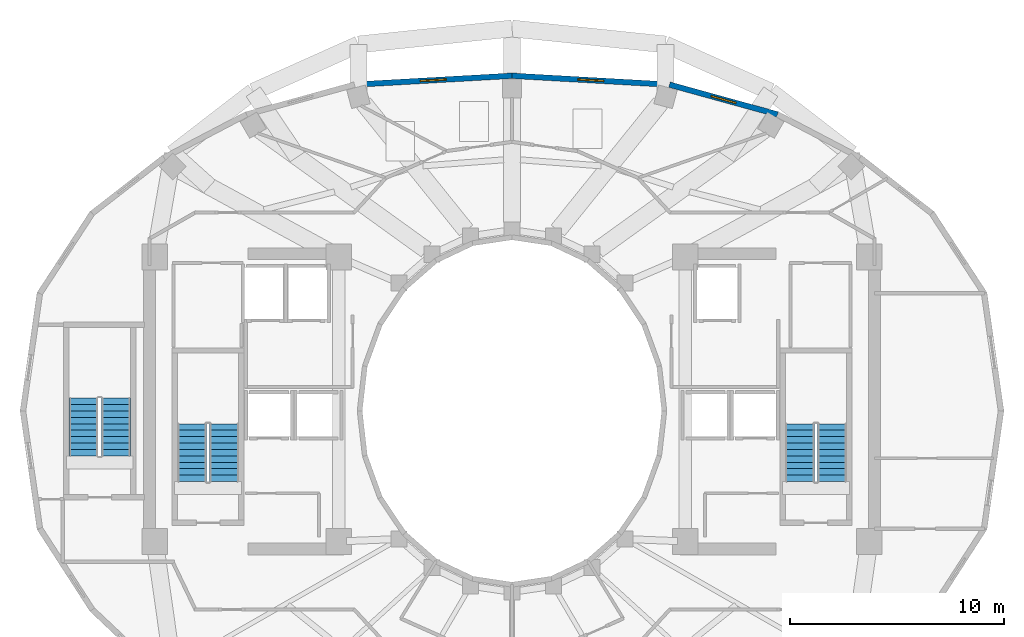
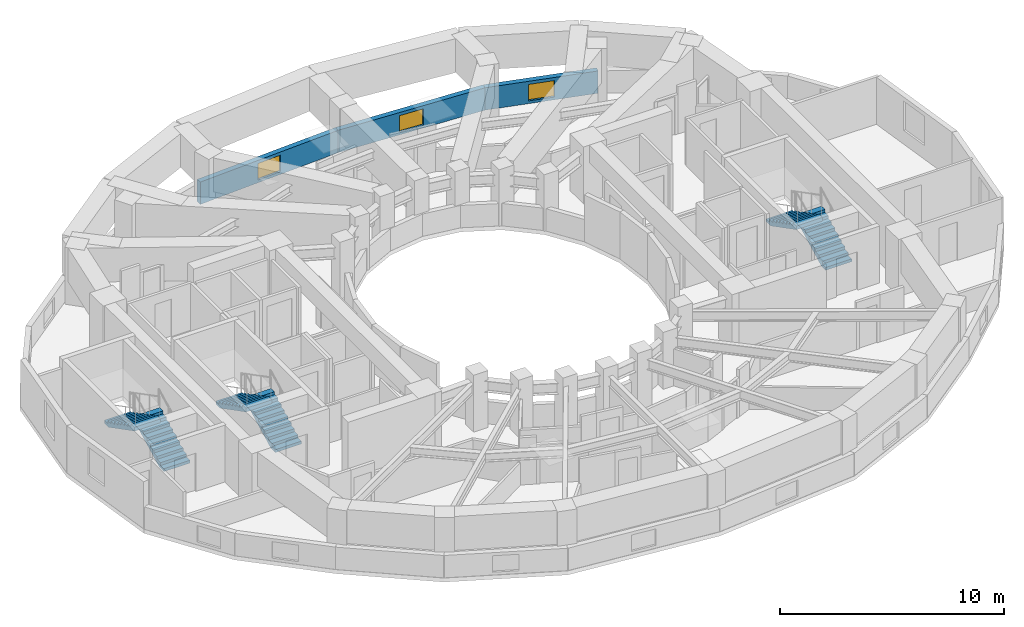
# One storey, part 7 of 9: 6 stair flights, 3 walls, 3 windows, 3 openings, 3 elements without a shape of their own.
"""IFC4 building model written with IfcOpenShell, lengths in metres."""

import ifcopenshell
import ifcopenshell.guid

model = None  # the IFC model being written
_history = None  # IfcOwnerHistory: only IFC2X3 demands one
_inside = {}  # id of a spatial element -> (the spatial element, [elements in it])
_under = {}  # id of a project, library or spatial element -> (it, [spatial elements below it])
_declared = {}  # id of a project -> (the project, [libraries it declares])
_typed = {}  # id of a type object -> (the type object, [elements of that type])
_made_of = {}  # id of a material, layer set ... -> (it, [elements and type objects made of it])


def new_model(schema):
    """Start an empty IFC model of exactly this schema.

    Asked for "IFC4X3", IfcOpenShell would pick the latest addendum, in which some entities
    have other attributes; the version numbers below select the first issue.
    IFC2X3 requires an IfcOwnerHistory on every rooted entity: one is made here for all.
    """
    global model, _history
    if schema == "IFC4X3":
        model = ifcopenshell.file(schema_version=(4, 3, 0, 0))
    else:
        model = ifcopenshell.file(schema=schema)
    _inside.clear()
    _under.clear()
    _declared.clear()
    _typed.clear()
    _made_of.clear()
    _history = None
    if model.schema == "IFC2X3":
        org = make("IfcOrganization", Name="unknown")
        user = make(
            "IfcPersonAndOrganization",
            ThePerson=make("IfcPerson", FamilyName="unknown"),
            TheOrganization=org,
        )
        app = make(
            "IfcApplication",
            ApplicationDeveloper=org,
            Version="unknown",
            ApplicationFullName="unknown",
            ApplicationIdentifier="unknown",
        )
        _history = make(
            "IfcOwnerHistory",
            OwningUser=user,
            OwningApplication=app,
            ChangeAction="ADDED",
            CreationDate=0,
        )
    return model


def make(cls, **values):
    """One entity of the class cls with the attributes given. An attribute that is None is left unset."""
    return model.create_entity(
        cls, **{name: value for name, value in values.items() if value is not None}
    )


def rooted(cls, **values):
    """An entity with a GlobalId (a new one), such as an element, a storey or a relation."""
    return make(cls, GlobalId=ifcopenshell.guid.new(), OwnerHistory=_history, **values)


def si_unit(unit_type, name, prefix=None):
    """IfcSIUnit, for example si_unit("LENGTHUNIT", "METRE", prefix="MILLI")."""
    return make("IfcSIUnit", UnitType=unit_type, Prefix=prefix, Name=name)


def assignment(units):
    """IfcUnitAssignment: the units of a project."""
    return None if units is None else make("IfcUnitAssignment", Units=units)


def point(xyz):
    """IfcCartesianPoint."""
    return None if xyz is None else make("IfcCartesianPoint", Coordinates=xyz)


def direction(xyz):
    """IfcDirection."""
    return None if xyz is None else make("IfcDirection", DirectionRatios=xyz)


def frame(location, z_axis=None, x_axis=None):
    """IfcAxis2Placement3D, a coordinate frame: its origin and axes. An axis left out is left unset."""
    return make(
        "IfcAxis2Placement3D",
        Location=point(location),
        Axis=direction(z_axis),
        RefDirection=direction(x_axis),
    )


def frame_2d(location, x_axis=None):
    """IfcAxis2Placement2D, a coordinate frame in the plane: its origin and x axis."""
    return make(
        "IfcAxis2Placement2D", Location=point(location), RefDirection=direction(x_axis)
    )


def origin():
    """The frame at (0, 0, 0) with its axes left unset."""
    return frame((0.0, 0.0, 0.0))


def place(relative_to, where):
    """IfcLocalPlacement: puts the frame where relative to a parent placement (None: the world)."""
    return make(
        "IfcLocalPlacement", PlacementRelTo=relative_to, RelativePlacement=where
    )


def context(
    kind, dimensions, precision=None, world=None, true_north=None, identifier=None
):
    """IfcGeometricRepresentationContext, for example the 3D "Model" context."""
    return make(
        "IfcGeometricRepresentationContext",
        ContextIdentifier=identifier,
        ContextType=kind,
        CoordinateSpaceDimension=dimensions,
        Precision=precision,
        WorldCoordinateSystem=world,
        TrueNorth=true_north,
    )


def subcontext(parent, identifier, kind, view, scale=None):
    """IfcGeometricRepresentationSubContext, for example "Body" below "Model"."""
    return make(
        "IfcGeometricRepresentationSubContext",
        ContextIdentifier=identifier,
        ContextType=kind,
        ParentContext=parent,
        TargetScale=scale,
        TargetView=view,
    )


def project(units=None, contexts=None):
    """IfcProject with its units and contexts."""
    return rooted(
        "IfcProject",
        Name="project",
        RepresentationContexts=contexts,
        UnitsInContext=assignment(units),
    )


def spatial(cls, under=None, at=None, **own):
    """A site, building, storey or space (cls), placed at a placement, below another one or the project."""
    s = rooted(cls, ObjectPlacement=at, **own)
    if under is not None:
        _under.setdefault(under.id(), (under, []))[1].append(s)
    return s


def polyline(points):
    """IfcPolyline through the points."""
    return make("IfcPolyline", Points=[point(p) for p in points])


def profile(cls, at=None, kind="AREA", **sizes):
    """A parametric profile (cls). Its sizes go by their IFC names, for example OverallWidth=200.0."""
    return make(cls, ProfileType=kind, Position=at, **sizes)


def rectangle(**sizes):
    """IfcRectangleProfileDef."""
    return profile("IfcRectangleProfileDef", **sizes)


def outline(outer, holes=None, kind="AREA"):
    """IfcArbitraryClosedProfileDef: a profile drawn as a closed curve; with holes, ...WithVoids."""
    if holes is None:
        return make("IfcArbitraryClosedProfileDef", ProfileType=kind, OuterCurve=outer)
    return make(
        "IfcArbitraryProfileDefWithVoids",
        ProfileType=kind,
        OuterCurve=outer,
        InnerCurves=holes,
    )


def extrude(swept, where, along, depth):
    """IfcExtrudedAreaSolid: the profile swept, set in the frame where, extruded along a direction by depth."""
    return make(
        "IfcExtrudedAreaSolid",
        SweptArea=swept,
        Position=where,
        ExtrudedDirection=direction(along),
        Depth=depth,
    )


def shape(context_of_items, identifier, shape_type, items):
    """IfcShapeRepresentation: the items that make up one representation, for example the "Body"."""
    return make(
        "IfcShapeRepresentation",
        ContextOfItems=context_of_items,
        RepresentationIdentifier=identifier,
        RepresentationType=shape_type,
        Items=items,
    )


def material(Name=None, Category=None):
    """IfcMaterial."""
    return make("IfcMaterial", Name=Name, Category=Category)


def layer(
    of_material, thickness, ventilated=None, Name=None, Category=None, Priority=None
):
    """IfcMaterialLayer: one layer of a wall or slab, of a material (None: an air gap)."""
    return make(
        "IfcMaterialLayer",
        Material=of_material,
        LayerThickness=thickness,
        IsVentilated=ventilated,
        Name=Name,
        Category=Category,
        Priority=Priority,
    )


def layer_set(layers, Name=None):
    """IfcMaterialLayerSet."""
    return make("IfcMaterialLayerSet", MaterialLayers=layers, LayerSetName=Name)


def made_of(thing, what):
    """Note that an element or type object is made of a material, layer set ...; save() writes the relation."""
    if what is not None:
        _made_of.setdefault(what.id(), (what, []))[1].append(thing)
    return thing


def type_object(cls, material=None, **own):
    """A type object (cls), such as IfcWallType, which elements share."""
    return made_of(rooted(cls, **own), material)


def element(
    cls,
    number,
    at=None,
    inside=None,
    cuts=None,
    type_object=None,
    material=None,
    context=None,
    identifier="Body",
    shape_type=None,
    held_by="IfcProductDefinitionShape",
    body=None,
    shapes=None,
    **own,
):
    """One element of the class cls, such as IfcWall. Its Tag is "e" and its number.

    at: its placement. inside: the storey or other place that contains it. cuts: it is an
    opening in that element (IfcRelVoidsElement). A single representation is given by context,
    identifier, shape_type and body (its items); several are given by shapes. held_by: the class
    of the entity that holds the representations. save() writes the other relations.
    """
    e = rooted(cls, Tag="e%d" % number, ObjectPlacement=at, **own)
    if body is not None:
        shapes = [shape(context, identifier, shape_type, body)]
    if shapes is not None:
        e.Representation = make(held_by, Representations=shapes)
    if inside is not None:
        _inside.setdefault(inside.id(), (inside, []))[1].append(e)
    if cuts is not None:
        rooted(
            "IfcRelVoidsElement", RelatingBuildingElement=cuts, RelatedOpeningElement=e
        )
    if type_object is not None:
        _typed.setdefault(type_object.id(), (type_object, []))[1].append(e)
    return made_of(e, material)


def fill(opening, filler):
    """IfcRelFillsElement: the door or window that sits in an opening."""
    return rooted(
        "IfcRelFillsElement",
        RelatingOpeningElement=opening,
        RelatedBuildingElement=filler,
    )


def aggregate(whole, parts):
    """IfcRelAggregates: a whole, such as a stair, and the parts it consists of."""
    return rooted("IfcRelAggregates", RelatingObject=whole, RelatedObjects=parts)


def save(model, path):
    """Write the relations noted so far, then the file.

    IfcRelAggregates (storeys below a building ...), IfcRelContainedInSpatialStructure (elements
    in a storey), IfcRelDefinesByType, IfcRelAssociatesMaterial and IfcRelDeclares: one each for
    every whole, place, type object, material and project.
    """
    for whole, parts in _under.values():
        aggregate(whole, parts)
    for where, things in _inside.values():
        rooted(
            "IfcRelContainedInSpatialStructure",
            RelatedElements=things,
            RelatingStructure=where,
        )
    for kind, things in _typed.values():
        rooted("IfcRelDefinesByType", RelatedObjects=things, RelatingType=kind)
    for what, things in _made_of.values():
        rooted("IfcRelAssociatesMaterial", RelatedObjects=things, RelatingMaterial=what)
    for by, libraries in _declared.values():
        rooted("IfcRelDeclares", RelatingContext=by, RelatedDefinitions=libraries)
    model.write(path)


model = new_model("IFC4")

# Units and contexts
model_context = context("Model", 3, precision=1e-05, world=origin(), true_north=direction((0.0, 1.0)))
body_context = subcontext(model_context, "Body", "Model", "MODEL_VIEW")
ifc_project = project(units=[si_unit("LENGTHUNIT", "METRE"), si_unit("AREAUNIT", "SQUARE_METRE"), si_unit("VOLUMEUNIT", "CUBIC_METRE"), si_unit("PLANEANGLEUNIT", "RADIAN"), si_unit("MASSUNIT", "GRAM", prefix="KILO")], contexts=[model_context])

# Site, building, storey
site_placement = place(None, origin())
site = spatial("IfcSite", under=ifc_project, at=site_placement, CompositionType="ELEMENT")
building_placement = place(site_placement, origin())
building = spatial("IfcBuilding", under=site, at=building_placement, Name="Solvane Sanctuary Tower", CompositionType="ELEMENT")
storey_placement = place(building_placement, frame((0.0, 0.0, 177.699951171875)))
storey = spatial("IfcBuildingStorey", under=building, at=storey_placement, Name="L54", CompositionType="ELEMENT", Elevation=177.699951171875)

# Wall, opening, window
ifc_material_1 = material(Name="Precast concrete C40/50", Category="concrete")
ifc_layer = layer(ifc_material_1, 0.260009765625, Name="Precast concrete C40/50")
ifc_layer_set = layer_set([ifc_layer], Name="Precast concrete C40/50")
wall_type = type_object("IfcWallType", Name="Wall W-EXT-250", PredefinedType="STANDARD", material=ifc_layer_set)
wall_1_placement = place(storey_placement, frame((44.4130859375, 36.86328125, 0.0), z_axis=(0.0, 0.0, 1.0), x_axis=(-0.963953455704, 0.26607092144, 0.0)))
wall_1 = element("IfcWall", 1, at=wall_1_placement, inside=storey, type_object=wall_type, Name="L54 Ceramic-Printed Facade Wall 04", PredefinedType="STANDARD", context=body_context, shape_type="SweptSolid", body=[
    extrude(rectangle(XDim=5.236572265625, YDim=0.260009765625, at=frame_2d((2.6181640625, 0.0))), origin(), (0.0, 0.0, 1.0), 1.219970703125),
])
opening_1_placement = place(wall_1_placement, frame((2.018310546875, 0.0, 0.14990234375)))
opening_1 = element("IfcOpeningElement", 2, at=opening_1_placement, cuts=wall_1, Name="Opening WN-OPER-1200", PredefinedType="OPENING", context=body_context, shape_type="SweptSolid", body=[
    extrude(rectangle(XDim=1.199951171875, YDim=0.89990234375, at=frame_2d((0.60009765625, 0.449951171875))), frame((0.0, 0.139892578125, 0.0), z_axis=(0.0, -1.0, 0.0), x_axis=(1.0, 0.0, 0.0)), (0.0, 0.0, 1.0), 0.280029296875),
])
ifc_material_2 = material(Name="Dark Ceramic-Fritted Low-E Glass", Category="glass")
window_type = type_object("IfcWindowType", Name="Window WN-OPER-1200", PartitioningType="SINGLE_PANEL", PredefinedType="WINDOW", material=ifc_material_2)
window_1_placement = place(opening_1_placement, origin())
window_1 = element("IfcWindow", 3, at=window_1_placement, inside=storey, type_object=window_type, Name="L54 Operable Facade Window 04", OverallHeight=0.89990234375, OverallWidth=1.199951171875, PartitioningType="SINGLE_PANEL", PredefinedType="WINDOW", context=body_context, shape_type="SweptSolid", body=[
    extrude(rectangle(XDim=1.199951171875, YDim=0.89990234375, at=frame_2d((0.60009765625, 0.449951171875))), frame((0.0, 0.030029296875, 0.0), z_axis=(0.0, -1.0, 0.0), x_axis=(1.0, 0.0, 0.0)), (0.0, 0.0, 1.0), 0.06005859375),
])
fill(opening_1, window_1)

wall_2_placement = place(storey_placement, frame((39.365234375, 38.256591796875, 0.0), z_axis=(0.0, 0.0, 1.0), x_axis=(-0.998417906562, 0.056228852534, 0.0)))
wall_2 = element("IfcWall", 4, at=wall_2_placement, inside=storey, type_object=wall_type, Name="L54 Ceramic-Printed Facade Wall 05", PredefinedType="STANDARD", context=body_context, shape_type="SweptSolid", body=[
    extrude(rectangle(XDim=7.376953125, YDim=0.260009765625, at=frame_2d((3.6884765625, 0.0))), origin(), (0.0, 0.0, 1.0), 1.219970703125),
])
opening_2_placement = place(wall_2_placement, frame((3.08837890625, 0.0, 0.14990234375)))
opening_2 = element("IfcOpeningElement", 5, at=opening_2_placement, cuts=wall_2, Name="Opening WN-OPER-1200", PredefinedType="OPENING", context=body_context, shape_type="SweptSolid", body=[
    extrude(rectangle(XDim=1.199951171875, YDim=0.89990234375, at=frame_2d((0.60009765625, 0.449951171875))), frame((0.0, 0.139892578125, 0.0), z_axis=(0.0, -1.0, 0.0), x_axis=(1.0, 0.0, 0.0)), (0.0, 0.0, 1.0), 0.280029296875),
])
window_2_placement = place(opening_2_placement, origin())
window_2 = element("IfcWindow", 6, at=window_2_placement, inside=storey, type_object=window_type, Name="L54 Operable Facade Window 05", OverallHeight=0.89990234375, OverallWidth=1.199951171875, PartitioningType="SINGLE_PANEL", PredefinedType="WINDOW", context=body_context, shape_type="SweptSolid", body=[
    extrude(rectangle(XDim=1.199951171875, YDim=0.89990234375, at=frame_2d((0.60009765625, 0.449951171875))), frame((0.0, 0.030029296875, 0.0), z_axis=(0.0, -1.0, 0.0), x_axis=(1.0, 0.0, 0.0)), (0.0, 0.0, 1.0), 0.06005859375),
])
fill(opening_2, window_2)

wall_3_placement = place(storey_placement, frame((32.0, 38.67138671875, 0.0), z_axis=(0.0, 0.0, 1.0), x_axis=(-0.998417906562, -0.056228852534, 0.0)))
wall_3 = element("IfcWall", 7, at=wall_3_placement, inside=storey, type_object=wall_type, Name="L54 Ceramic-Printed Facade Wall 06", PredefinedType="STANDARD", context=body_context, shape_type="SweptSolid", body=[
    extrude(rectangle(XDim=7.376953125, YDim=0.260009765625, at=frame_2d((3.6884765625, 0.0))), origin(), (0.0, 0.0, 1.0), 1.219970703125),
])
opening_3_placement = place(wall_3_placement, frame((3.08837890625, 0.0, 0.14990234375)))
opening_3 = element("IfcOpeningElement", 8, at=opening_3_placement, cuts=wall_3, Name="Opening WN-OPER-1200", PredefinedType="OPENING", context=body_context, shape_type="SweptSolid", body=[
    extrude(rectangle(XDim=1.199951171875, YDim=0.89990234375, at=frame_2d((0.60009765625, 0.449951171875))), frame((0.0, 0.139892578125, 0.0), z_axis=(0.0, -1.0, 0.0), x_axis=(1.0, 0.0, 0.0)), (0.0, 0.0, 1.0), 0.280029296875),
])
window_3_placement = place(opening_3_placement, origin())
window_3 = element("IfcWindow", 9, at=window_3_placement, inside=storey, type_object=window_type, Name="L54 Operable Facade Window 06", OverallHeight=0.89990234375, OverallWidth=1.199951171875, PartitioningType="SINGLE_PANEL", PredefinedType="WINDOW", context=body_context, shape_type="SweptSolid", body=[
    extrude(rectangle(XDim=1.199951171875, YDim=0.89990234375, at=frame_2d((0.60009765625, 0.449951171875))), frame((0.0, 0.030029296875, 0.0), z_axis=(0.0, -1.0, 0.0), x_axis=(1.0, 0.0, 0.0)), (0.0, 0.0, 1.0), 0.06005859375),
])
fill(opening_3, window_3)

# Stair, stair flights
ifc_material_3 = material(Name="Concrete C45/55", Category="concrete")
stair_type = type_object("IfcStairType", Name="Stair ST-TOW", PredefinedType="HALF_TURN_STAIR", material=ifc_material_3)
stair_1_placement = place(storey_placement, origin())
stair_1 = element("IfcStair", 10, at=stair_1_placement, inside=storey, type_object=stair_type, Name="L54 Exit Stair ST-1 West Core", PredefinedType="HALF_TURN_STAIR")
stair_flight_type = type_object("IfcStairFlightType", Name="StairFlight SF-TOW", PredefinedType="STRAIGHT", material=ifc_material_3)
stair_flight_1_placement = place(storey_placement, frame((18.544921875, 19.699951171875, 0.0), z_axis=(0.0, 0.0, 1.0), x_axis=(0.0, 1.0, 0.0)))
stair_flight_1 = element("IfcStairFlight", 11, at=stair_flight_1_placement, type_object=stair_flight_type, Name="ST-1 flight 1", NumberOfRisers=10, NumberOfTreads=9, PredefinedType="STRAIGHT", RiserHeight=0.155, TreadLength=0.3, context=body_context, shape_type="SweptSolid", body=[
    extrude(outline(polyline([(0.0, 0.0), (0.0, 0.155029296875), (0.300048828125, 0.155029296875), (0.300048828125, 0.31005859375), (0.60009765625, 0.31005859375), (0.60009765625, 0.465087890625), (0.89990234375, 0.465087890625), (0.89990234375, 0.6201171875), (1.199951171875, 0.6201171875), (1.199951171875, 0.77490234375), (1.5, 0.77490234375), (1.5, 0.929931640625), (1.800048828125, 0.929931640625), (1.800048828125, 1.0849609375), (2.10009765625, 1.0849609375), (2.10009765625, 1.239990234375), (2.39990234375, 1.239990234375), (2.39990234375, 1.39501953125), (2.699951171875, 1.39501953125), (2.699951171875, 1.550048828125), (2.699951171875, 1.1923828125), (0.39208984375, 0.0), (0.0, 0.0)])), frame((0.0, 0.675048828125, 0.0), z_axis=(0.0, -1.0, 0.0), x_axis=(1.0, 0.0, 0.0)), (0.0, 0.0, 1.0), 1.35009765625),
])
stair_flight_2_placement = place(storey_placement, frame((17.034912109375, 22.39990234375, 1.550048828125), z_axis=(0.0, 0.0, 1.0), x_axis=(0.0, -1.0, 0.0)))
stair_flight_2 = element("IfcStairFlight", 12, at=stair_flight_2_placement, type_object=stair_flight_type, Name="ST-1 flight 2", NumberOfRisers=10, NumberOfTreads=9, PredefinedType="STRAIGHT", RiserHeight=0.155, TreadLength=0.3, context=body_context, shape_type="SweptSolid", body=[
    extrude(outline(polyline([(0.0, 0.0), (0.0, 0.155029296875), (0.300048828125, 0.155029296875), (0.300048828125, 0.31005859375), (0.60009765625, 0.31005859375), (0.60009765625, 0.465087890625), (0.89990234375, 0.465087890625), (0.89990234375, 0.6201171875), (1.199951171875, 0.6201171875), (1.199951171875, 0.77490234375), (1.5, 0.77490234375), (1.5, 0.929931640625), (1.800048828125, 0.929931640625), (1.800048828125, 1.0849609375), (2.10009765625, 1.0849609375), (2.10009765625, 1.239990234375), (2.39990234375, 1.239990234375), (2.39990234375, 1.39501953125), (2.699951171875, 1.39501953125), (2.699951171875, 1.550048828125), (2.699951171875, 1.1923828125), (0.39208984375, 0.0), (0.0, 0.0)])), frame((0.0, 0.675048828125, 0.0), z_axis=(0.0, -1.0, 0.0), x_axis=(1.0, 0.0, 0.0)), (0.0, 0.0, 1.0), 1.35009765625),
])
aggregate(stair_1, [stair_flight_1, stair_flight_2])

stair_2_placement = place(storey_placement, origin())
stair_2 = element("IfcStair", 13, at=stair_2_placement, inside=storey, type_object=stair_type, Name="L54 Exit Stair ST-2 East Core", PredefinedType="HALF_TURN_STAIR")
stair_flight_3_placement = place(storey_placement, frame((46.965087890625, 19.699951171875, 0.0), z_axis=(0.0, 0.0, 1.0), x_axis=(0.0, 1.0, 0.0)))
stair_flight_3 = element("IfcStairFlight", 14, at=stair_flight_3_placement, type_object=stair_flight_type, Name="ST-2 flight 1", NumberOfRisers=10, NumberOfTreads=9, PredefinedType="STRAIGHT", RiserHeight=0.155, TreadLength=0.3, context=body_context, shape_type="SweptSolid", body=[
    extrude(outline(polyline([(0.0, 0.0), (0.0, 0.155029296875), (0.300048828125, 0.155029296875), (0.300048828125, 0.31005859375), (0.60009765625, 0.31005859375), (0.60009765625, 0.465087890625), (0.89990234375, 0.465087890625), (0.89990234375, 0.6201171875), (1.199951171875, 0.6201171875), (1.199951171875, 0.77490234375), (1.5, 0.77490234375), (1.5, 0.929931640625), (1.800048828125, 0.929931640625), (1.800048828125, 1.0849609375), (2.10009765625, 1.0849609375), (2.10009765625, 1.239990234375), (2.39990234375, 1.239990234375), (2.39990234375, 1.39501953125), (2.699951171875, 1.39501953125), (2.699951171875, 1.550048828125), (2.699951171875, 1.1923828125), (0.39208984375, 0.0), (0.0, 0.0)])), frame((0.0, 0.675048828125, 0.0), z_axis=(0.0, -1.0, 0.0), x_axis=(1.0, 0.0, 0.0)), (0.0, 0.0, 1.0), 1.35009765625),
])
stair_flight_4_placement = place(storey_placement, frame((45.455078125, 22.39990234375, 1.550048828125), z_axis=(0.0, 0.0, 1.0), x_axis=(0.0, -1.0, 0.0)))
stair_flight_4 = element("IfcStairFlight", 15, at=stair_flight_4_placement, type_object=stair_flight_type, Name="ST-2 flight 2", NumberOfRisers=10, NumberOfTreads=9, PredefinedType="STRAIGHT", RiserHeight=0.155, TreadLength=0.3, context=body_context, shape_type="SweptSolid", body=[
    extrude(outline(polyline([(0.0, 0.0), (0.0, 0.155029296875), (0.300048828125, 0.155029296875), (0.300048828125, 0.31005859375), (0.60009765625, 0.31005859375), (0.60009765625, 0.465087890625), (0.89990234375, 0.465087890625), (0.89990234375, 0.6201171875), (1.199951171875, 0.6201171875), (1.199951171875, 0.77490234375), (1.5, 0.77490234375), (1.5, 0.929931640625), (1.800048828125, 0.929931640625), (1.800048828125, 1.0849609375), (2.10009765625, 1.0849609375), (2.10009765625, 1.239990234375), (2.39990234375, 1.239990234375), (2.39990234375, 1.39501953125), (2.699951171875, 1.39501953125), (2.699951171875, 1.550048828125), (2.699951171875, 1.1923828125), (0.39208984375, 0.0), (0.0, 0.0)])), frame((0.0, 0.675048828125, 0.0), z_axis=(0.0, -1.0, 0.0), x_axis=(1.0, 0.0, 0.0)), (0.0, 0.0, 1.0), 1.35009765625),
])
aggregate(stair_2, [stair_flight_3, stair_flight_4])

stair_3_placement = place(storey_placement, origin())
stair_3 = element("IfcStair", 16, at=stair_3_placement, inside=storey, type_object=stair_type, Name="L54 Exit Stair ST-3 Pilgrim Tower Stair", PredefinedType="HALF_TURN_STAIR")
stair_flight_5_placement = place(storey_placement, frame((13.485107421875, 20.89990234375, 0.0), z_axis=(0.0, 0.0, 1.0), x_axis=(0.0, 1.0, 0.0)))
stair_flight_5 = element("IfcStairFlight", 17, at=stair_flight_5_placement, type_object=stair_flight_type, Name="ST-3 flight 1", NumberOfRisers=10, NumberOfTreads=9, PredefinedType="STRAIGHT", RiserHeight=0.155, TreadLength=0.3, context=body_context, shape_type="SweptSolid", body=[
    extrude(outline(polyline([(0.0, 0.0), (0.0, 0.155029296875), (0.300048828125, 0.155029296875), (0.300048828125, 0.31005859375), (0.60009765625, 0.31005859375), (0.60009765625, 0.465087890625), (0.89990234375, 0.465087890625), (0.89990234375, 0.6201171875), (1.199951171875, 0.6201171875), (1.199951171875, 0.77490234375), (1.5, 0.77490234375), (1.5, 0.929931640625), (1.800048828125, 0.929931640625), (1.800048828125, 1.0849609375), (2.10009765625, 1.0849609375), (2.10009765625, 1.239990234375), (2.39990234375, 1.239990234375), (2.39990234375, 1.39501953125), (2.699951171875, 1.39501953125), (2.699951171875, 1.550048828125), (2.699951171875, 1.1923828125), (0.39208984375, 0.0), (0.0, 0.0)])), frame((0.0, 0.675048828125, 0.0), z_axis=(0.0, -1.0, 0.0), x_axis=(1.0, 0.0, 0.0)), (0.0, 0.0, 1.0), 1.35009765625),
])
stair_flight_6_placement = place(storey_placement, frame((11.97509765625, 23.60009765625, 1.550048828125), z_axis=(0.0, 0.0, 1.0), x_axis=(0.0, -1.0, 0.0)))
stair_flight_6 = element("IfcStairFlight", 18, at=stair_flight_6_placement, type_object=stair_flight_type, Name="ST-3 flight 2", NumberOfRisers=10, NumberOfTreads=9, PredefinedType="STRAIGHT", RiserHeight=0.155, TreadLength=0.3, context=body_context, shape_type="SweptSolid", body=[
    extrude(outline(polyline([(0.0, 0.0), (0.0, 0.155029296875), (0.300048828125, 0.155029296875), (0.300048828125, 0.31005859375), (0.60009765625, 0.31005859375), (0.60009765625, 0.465087890625), (0.89990234375, 0.465087890625), (0.89990234375, 0.6201171875), (1.199951171875, 0.6201171875), (1.199951171875, 0.77490234375), (1.5, 0.77490234375), (1.5, 0.929931640625), (1.800048828125, 0.929931640625), (1.800048828125, 1.0849609375), (2.10009765625, 1.0849609375), (2.10009765625, 1.239990234375), (2.39990234375, 1.239990234375), (2.39990234375, 1.39501953125), (2.699951171875, 1.39501953125), (2.699951171875, 1.550048828125), (2.699951171875, 1.1923828125), (0.39208984375, 0.0), (0.0, 0.0)])), frame((0.0, 0.675048828125, 0.0), z_axis=(0.0, -1.0, 0.0), x_axis=(1.0, 0.0, 0.0)), (0.0, 0.0, 1.0), 1.35009765625),
])
aggregate(stair_3, [stair_flight_5, stair_flight_6])

save(model, "model.ifc")
